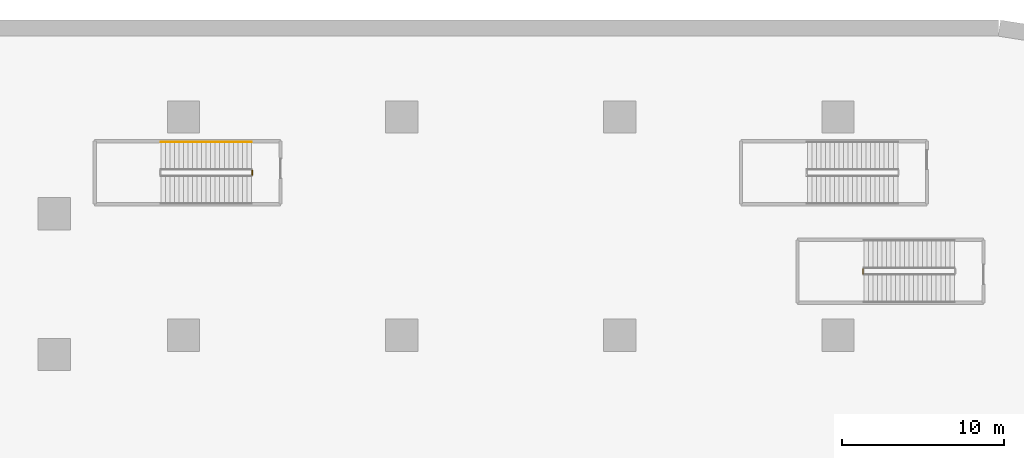
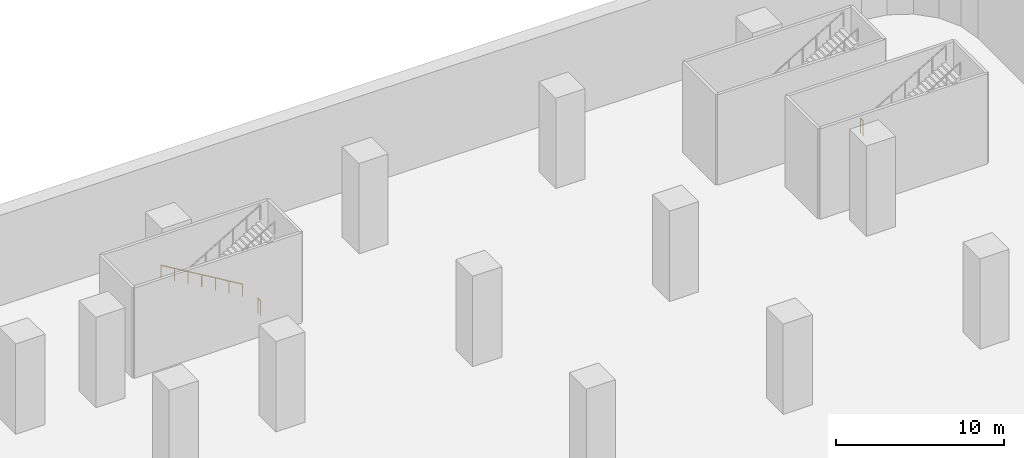
# One storey, part 27 of 30: 3 railings.
"""IFC4 building model written with IfcOpenShell, lengths in metres."""

from ifc_helpers import new_model, si_unit, direction, frame, origin, origin_2d, place, context, subcontext, project, spatial, circle, extrude, material, type_object, element, save


model = new_model("IFC4")

# Units and contexts
model_context = context("Model", 3, precision=1e-05, world=origin(), true_north=direction((0.0, 1.0)))
body_context = subcontext(model_context, "Body", "Model", "MODEL_VIEW")
ifc_project = project(units=[si_unit("LENGTHUNIT", "METRE"), si_unit("AREAUNIT", "SQUARE_METRE"), si_unit("VOLUMEUNIT", "CUBIC_METRE"), si_unit("PLANEANGLEUNIT", "RADIAN"), si_unit("MASSUNIT", "GRAM", prefix="KILO")], contexts=[model_context])

# Site, building, storey
site_placement = place(None, origin())
site = spatial("IfcSite", under=ifc_project, at=site_placement, CompositionType="ELEMENT")
building_placement = place(site_placement, origin())
building = spatial("IfcBuilding", under=site, at=building_placement, Name="Tamarind Cross Interchange Tower", CompositionType="ELEMENT")
storey_placement = place(building_placement, frame((0.0, 0.0, -14.0)))
storey = spatial("IfcBuildingStorey", under=building, at=storey_placement, Name="B2", CompositionType="ELEMENT", Elevation=-14.0)

# Railings
ifc_material_1 = material(Name="Public stair guard")
railing_type_1 = type_object("IfcRailingType", Name="Public stair guard", PredefinedType="GUARDRAIL", material=ifc_material_1)
for number, where, name in (
    (1, (55.550048828125, 44.60009765625, 3.5), "B2 XS-P02 stair guard 2"),
    (2, (17.75, 50.699951171875, 0.0), "B2 XS-P03 stair guard 4"),
):
    element("IfcRailing", number, at=place(storey_placement, frame(where)), inside=storey, type_object=railing_type_1, Name=name, PredefinedType="GUARDRAIL", context=body_context, shape_type="SweptSolid", body=[
        extrude(circle(Radius=0.02392578125, at=origin_2d()), frame((0.0, 0.0, 1.076171875), z_axis=(0.0, -1.0, 0.0), x_axis=(1.0, 0.0, 0.0)), (0.0, 0.0, 1.0), 0.300048828125),
        extrude(circle(Radius=0.02099609375, at=origin_2d()), origin(), (0.0, 0.0, 1.0), 1.052001953125),
        extrude(circle(Radius=0.02099609375, at=origin_2d()), frame((0.0, -0.300048828125, 0.0)), (0.0, 0.0, 1.0), 1.052001953125),
    ])
ifc_material_2 = material(Name="Public stair handrail")
railing_type_2 = type_object("IfcRailingType", Name="Public stair handrail", PredefinedType="HANDRAIL", material=ifc_material_2)
railing_placement = place(storey_placement, frame((17.699951171875, 52.449951171875, 0.166748046875)))
element("IfcRailing", 3, at=railing_placement, inside=storey, type_object=railing_type_2, Name="B2 XS-P03 stair handrail 1", PredefinedType="HANDRAIL", context=body_context, shape_type="SweptSolid", body=[
    extrude(circle(Radius=0.02392578125, at=origin_2d()), frame((0.0, 0.0, 0.8759765625), z_axis=(-0.859292492371, 0.0, 0.511484518392), x_axis=(0.0, -1.0, 0.0)), (0.0, 0.0, 1.0), 6.516845703125),
    extrude(circle(Radius=0.02099609375, at=origin_2d()), origin(), (0.0, 0.0, 1.0), 0.851806640625),
    extrude(circle(Radius=0.02099609375, at=origin_2d()), frame((-0.933349609375, 0.0, 0.5556640625)), (0.0, 0.0, 1.0), 0.851806640625),
    extrude(circle(Radius=0.02099609375, at=origin_2d()), frame((-1.86669921875, 0.0, 1.111083984375)), (0.0, 0.0, 1.0), 0.851806640625),
    extrude(circle(Radius=0.02099609375, at=origin_2d()), frame((-2.7998046875, 0.0, 1.66650390625)), (0.0, 0.0, 1.0), 0.851806640625),
    extrude(circle(Radius=0.02099609375, at=origin_2d()), frame((-3.733154296875, 0.0, 2.22216796875)), (0.0, 0.0, 1.0), 0.851806640625),
    extrude(circle(Radius=0.02099609375, at=origin_2d()), frame((-4.66650390625, 0.0, 2.77783203125)), (0.0, 0.0, 1.0), 0.851806640625),
    extrude(circle(Radius=0.02099609375, at=origin_2d()), frame((-5.599853515625, 0.0, 3.333251953125)), (0.0, 0.0, 1.0), 0.851806640625),
])

save(model, "model.ifc")
